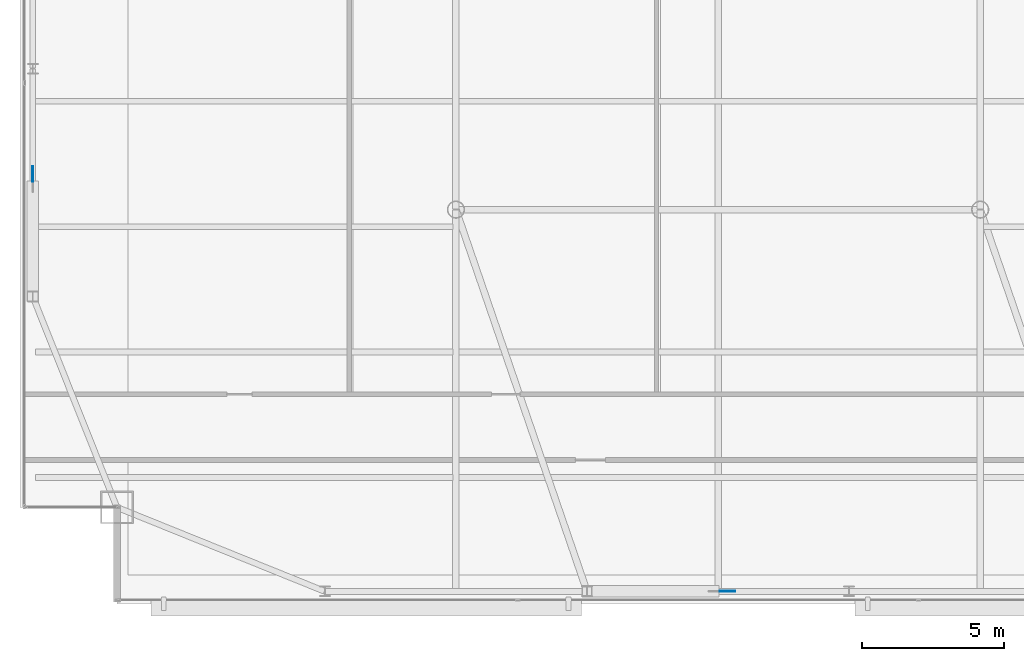
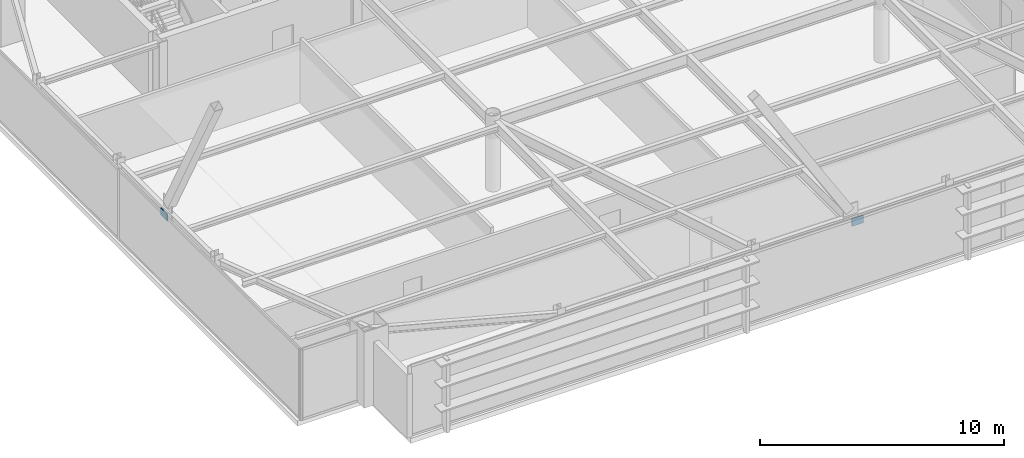
# One storey, part 22 of 27: 2 plates.
"""IFC4 building model written with IfcOpenShell, lengths in metres."""

from ifc_helpers import new_model, si_unit, direction, frame, origin, origin_2d, place, context, subcontext, project, spatial, rectangle, extrude, source, transform, mapped, material, layer, layer_set, type_object, type_shapes, element, save


model = new_model("IFC4")

# Units and contexts
model_context = context("Model", 3, precision=1e-05, world=origin(), true_north=direction((0.0, 1.0)))
body_context = subcontext(model_context, "Body", "Model", "MODEL_VIEW")
ifc_project = project(units=[si_unit("LENGTHUNIT", "METRE"), si_unit("AREAUNIT", "SQUARE_METRE"), si_unit("VOLUMEUNIT", "CUBIC_METRE"), si_unit("PLANEANGLEUNIT", "RADIAN"), si_unit("MASSUNIT", "GRAM", prefix="KILO")], contexts=[model_context])

# Site, building, storey
site_placement = place(None, origin())
site = spatial("IfcSite", under=ifc_project, at=site_placement, CompositionType="ELEMENT")
building_placement = place(site_placement, origin())
building = spatial("IfcBuilding", under=site, at=building_placement, Name="Varnel Quay Broadcast Tower", CompositionType="ELEMENT")
storey_placement = place(building_placement, frame((0.0, 0.0, 203.60009765625)))
storey = spatial("IfcBuildingStorey", under=building, at=storey_placement, Name="L50", CompositionType="ELEMENT", Elevation=203.60009765625)

# Plates
ifc_material = material(Name="Structural Steel CSA G40.21 350WT", Category="steel")
ifc_layer = layer(ifc_material, 0.031982421875, Name="Structural Steel CSA G40.21 350WT")
ifc_layer_set = layer_set([ifc_layer], Name="Structural Steel CSA G40.21 350WT")
plate_type = type_object("IfcPlateType", Name="Plate_EndCap", PredefinedType="USERDEFINED", material=ifc_layer_set)
shared_shape = source(origin(), body_context, "Body", "SweptSolid", [
    extrude(rectangle(XDim=0.5400390625, YDim=0.031982421875, at=origin_2d()), origin(), (0.0, 0.0, 1.0), 0.3798828125),
])
type_shapes(plate_type, [shared_shape])
for number, where, z_axis, x_axis, name in (
    (1, (34.331787109375, 10.64990234375, 2.947021484375), (0.0, 0.0, 1.0), (1.0, 0.0, 0.0), "Zone 4 Mega-Brace S-C1T1 Diag B1 End Connection Plate P1"),
    (2, (9.949951171875, 25.306640625, 2.91357421875), (0.0, 0.0, 1.0), (0.0, 1.0, 0.0), "Zone 4 Mega-Brace W-FT1 Diag B1 End Connection Plate P1"),
):
    element("IfcPlate", number, at=place(storey_placement, frame(where, z_axis=z_axis, x_axis=x_axis)), inside=storey, type_object=plate_type, Name=name, ObjectType="CAP_PLATE", PredefinedType="USERDEFINED", context=body_context, shape_type="MappedRepresentation", body=[
        mapped(shared_shape, transform((0.0, 0.0, 0.0), x_axis=(1.0, 0.0, 0.0), y_axis=(0.0, 1.0, 0.0), z_axis=(0.0, 0.0, 1.0), scale=1.0)),
    ])

save(model, "model.ifc")
